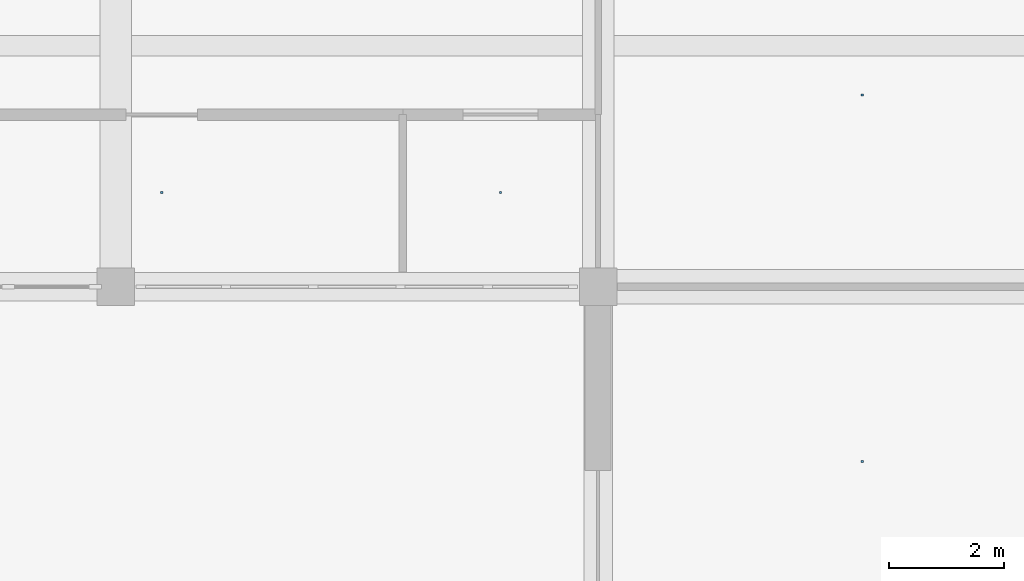
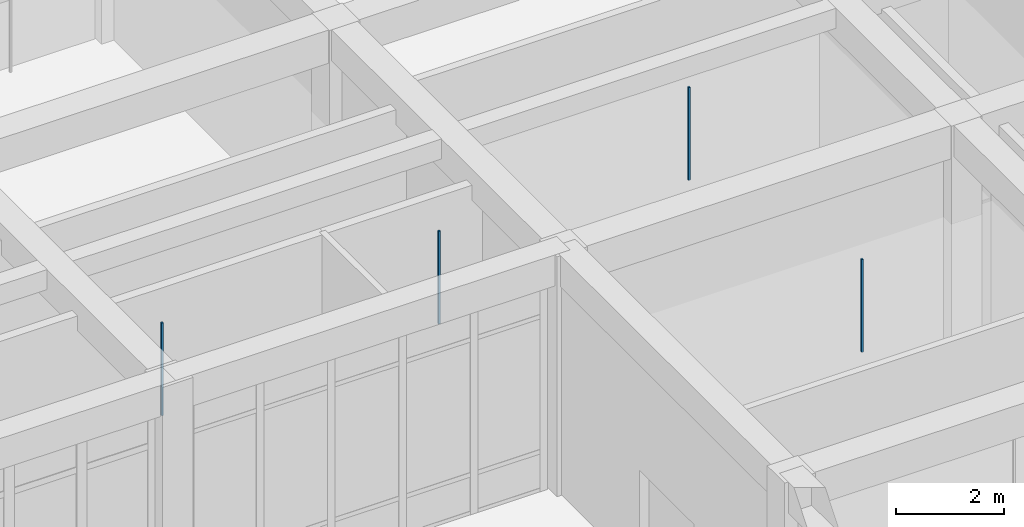
# One storey, part 131 of 167: 4 discrete accessories.
"""IFC4 building model written with IfcOpenShell, lengths in metres."""

from ifc_helpers import new_model, si_unit, direction, frame, origin, origin_2d, place, context, subcontext, project, spatial, rectangle, extrude, material, type_object, element, save


model = new_model("IFC4")

# Units and contexts
model_context = context("Model", 3, precision=1e-05, world=origin(), true_north=direction((0.0, 1.0)))
body_context = subcontext(model_context, "Body", "Model", "MODEL_VIEW")
ifc_project = project(units=[si_unit("LENGTHUNIT", "METRE"), si_unit("AREAUNIT", "SQUARE_METRE"), si_unit("VOLUMEUNIT", "CUBIC_METRE"), si_unit("PLANEANGLEUNIT", "RADIAN"), si_unit("MASSUNIT", "GRAM", prefix="KILO")], contexts=[model_context])

# Site, building, storey
site_placement = place(None, origin())
site = spatial("IfcSite", under=ifc_project, at=site_placement, CompositionType="ELEMENT")
building_placement = place(site_placement, origin())
building = spatial("IfcBuilding", under=site, at=building_placement, Name="Varncliffe General Hospital", CompositionType="ELEMENT")
storey_placement = place(building_placement, origin())
storey = spatial("IfcBuildingStorey", under=building, at=storey_placement, Name="L00", CompositionType="ELEMENT", Elevation=0.0)

# Discrete accessories
ifc_material = material(Name="Powder-coated hospital steel guardrail and handrail", Category="steel")
discrete_accessory_type = type_object("IfcDiscreteAccessoryType", Name="Suspended Ceiling Hanger Bracket CH01", PredefinedType="BRACKET", material=ifc_material)
for number, where, z_axis, x_axis, name in (
    (1, (143.60009765625, 84.4423828125, 3.18994140625), (0.0, 0.0, 1.0), (1.0, 0.0, 0.0), "L00 Suspended Ceiling Hanger 51"),
    (2, (149.5, 84.4423828125, 3.18994140625), (0.0, 0.0, 1.0), (1.0, 0.0, 0.0), "L00 Suspended Ceiling Hanger 52"),
    (3, (155.800048828125, 79.757568359375, 3.18994140625), (0.0, 0.0, 1.0), (1.0, 0.0, 0.0), "L00 Suspended Ceiling Hanger 69"),
    (4, (155.800048828125, 86.142578125, 3.18994140625), (0.0, 0.0, 1.0), (1.0, 0.0, 0.0), "L00 Suspended Ceiling Hanger 103"),
):
    element("IfcDiscreteAccessory", number, at=place(storey_placement, frame(where, z_axis=z_axis, x_axis=x_axis)), inside=storey, type_object=discrete_accessory_type, Name=name, PredefinedType="BRACKET", context=body_context, shape_type="SweptSolid", body=[
        extrude(rectangle(XDim=0.0400390625, YDim=0.0400390625, at=origin_2d()), origin(), (0.0, 0.0, 1.0), 2.090087890625),
    ])

save(model, "model.ifc")
